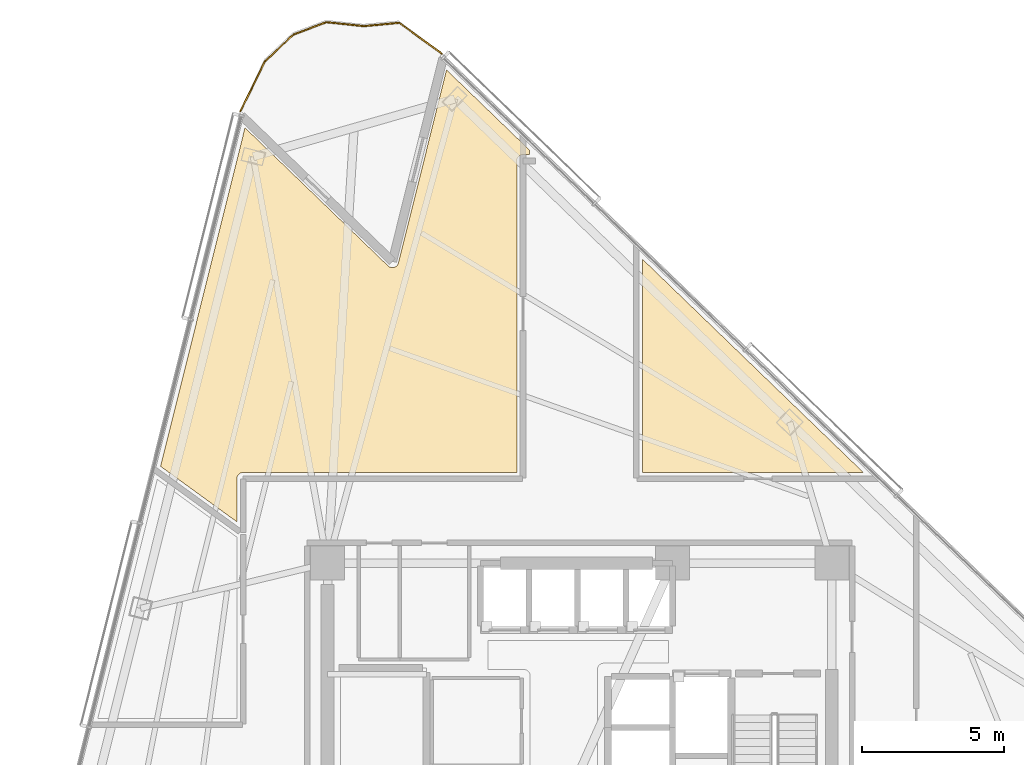
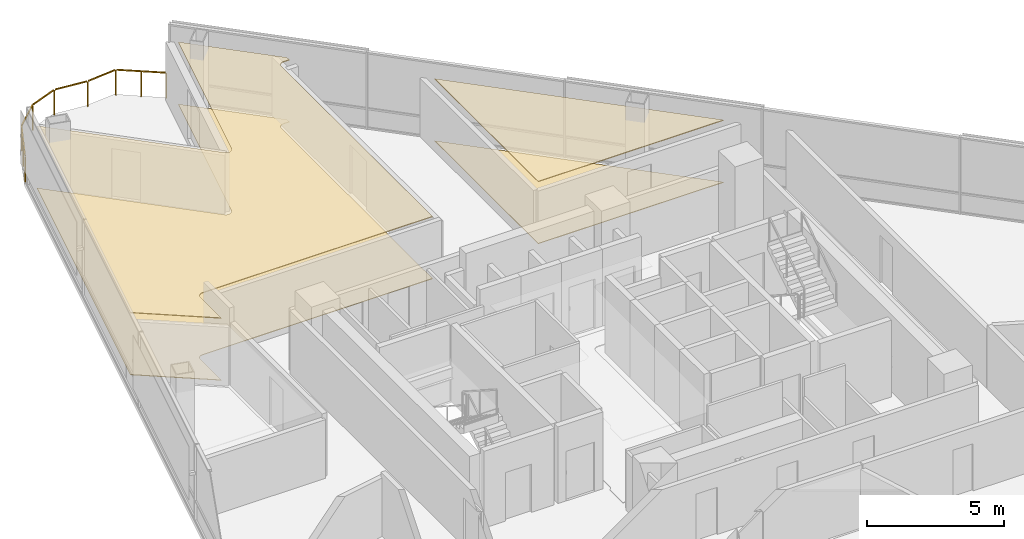
# One storey, part 17 of 17: 4 coverings, 1 railing.
"""IFC4 building model written with IfcOpenShell, lengths in metres."""

from ifc_helpers import new_model, si_unit, direction, frame, origin, origin_2d, place, context, subcontext, project, spatial, polyline, rectangle, outline, extrude, material, layer, layer_set, type_object, element, save


model = new_model("IFC4")

# Units and contexts
model_context = context("Model", 3, precision=1e-05, world=origin(), true_north=direction((0.0, 1.0)))
body_context = subcontext(model_context, "Body", "Model", "MODEL_VIEW")
ifc_project = project(units=[si_unit("LENGTHUNIT", "METRE"), si_unit("AREAUNIT", "SQUARE_METRE"), si_unit("VOLUMEUNIT", "CUBIC_METRE"), si_unit("PLANEANGLEUNIT", "RADIAN"), si_unit("MASSUNIT", "GRAM", prefix="KILO")], contexts=[model_context])

# Site, building, storey
site_placement = place(None, origin())
site = spatial("IfcSite", under=ifc_project, at=site_placement, CompositionType="ELEMENT")
building_placement = place(site_placement, origin())
building = spatial("IfcBuilding", under=site, at=building_placement, Name="Tharavind Bronze Gate", CompositionType="ELEMENT")
storey_placement = place(building_placement, frame((0.0, 0.0, 96.89990234375)))
storey = spatial("IfcBuildingStorey", under=building, at=storey_placement, Name="L24", CompositionType="ELEMENT", Elevation=96.89990234375)

# Coverings
ifc_material_1 = material(Name="Perforated Bronze Acoustic Panel", Category="bronze")
ifc_layer_1 = layer(ifc_material_1, 0.044921875)
ifc_layer_set_1 = layer_set([ifc_layer_1], Name="Perforated Bronze Acoustic Panel")
covering_type_1 = type_object("IfcCoveringType", Name="ACOUSTIC BRONZE BAFFLE CEILING", PredefinedType="CEILING", material=ifc_layer_set_1)
covering_1_placement = place(storey_placement, frame((0.0, 0.0, 2.75)))
element("IfcCovering", 1, at=covering_1_placement, inside=storey, type_object=covering_type_1, Name="L24-RM-02 suspended ceiling", PredefinedType="CEILING", context=body_context, shape_type="SweptSolid", body=[
    extrude(outline(polyline([(-12.10009765625, 9.06298828125), (-12.10009765625, 10.579345703125), (-12.099609375, 10.590087890625), (-12.099609375, 10.5908203125), (-12.09765625, 10.6123046875), (-12.093505859375, 10.63330078125), (-12.087158203125, 10.654052734375), (-12.078857421875, 10.674072265625), (-12.068603515625, 10.693115234375), (-12.056640625, 10.7109375), (-12.04296875, 10.727783203125), (-12.027587890625, 10.742919921875), (-12.010986328125, 10.756591796875), (-11.9931640625, 10.768798828125), (-11.97412109375, 10.77880859375), (-11.9541015625, 10.787109375), (-11.933349609375, 10.79345703125), (-11.912353515625, 10.797607421875), (-11.890869140625, 10.7998046875), (-11.89013671875, 10.7998046875), (-11.87939453125, 10.800048828125), (-2.219970703125, 10.800048828125), (-2.219970703125, 21.79931640625), (-2.2197265625, 21.810302734375), (-2.2197265625, 21.810791015625), (-2.217529296875, 21.832275390625), (-2.21337890625, 21.853515625), (-2.20703125, 21.8740234375), (-2.19873046875, 21.89404296875), (-2.188720703125, 21.9130859375), (-2.1767578125, 21.930908203125), (-2.1630859375, 21.94775390625), (-2.147705078125, 21.962890625), (-2.131103515625, 21.976806640625), (-2.113037109375, 21.98876953125), (-2.093994140625, 21.998779296875), (-2.07421875, 22.007080078125), (-2.053466796875, 22.013427734375), (-2.0322265625, 22.017578125), (-2.0107421875, 22.019775390625), (-2.01025390625, 22.019775390625), (-1.99951171875, 22.02001953125), (-1.76025390625, 22.02001953125), (-1.771728515625, 22.18408203125), (-4.69921875, 25.010986328125), (-6.39697265625, 18.201171875), (-6.39990234375, 18.1904296875), (-6.400146484375, 18.18994140625), (-6.407470703125, 18.169189453125), (-6.4169921875, 18.1494140625), (-6.42822265625, 18.130615234375), (-6.44140625, 18.11328125), (-6.456298828125, 18.096923828125), (-6.47265625, 18.08251953125), (-6.490234375, 18.069580078125), (-6.50927734375, 18.05859375), (-6.529296875, 18.04931640625), (-6.550048828125, 18.042236328125), (-6.5712890625, 18.037353515625), (-6.593017578125, 18.034423828125), (-6.614990234375, 18.03369140625), (-6.636962890625, 18.035400390625), (-6.658447265625, 18.0390625), (-6.6796875, 18.044921875), (-6.7001953125, 18.052734375), (-6.7197265625, 18.062744140625), (-6.738037109375, 18.074462890625), (-6.75537109375, 18.088134765625), (-6.755859375, 18.08837890625), (-6.763916015625, 18.095947265625), (-11.8125, 22.97119140625), (-14.79248046875, 11.019287109375), (-12.10009765625, 9.06298828125)])), origin(), (0.0, 0.0, 1.0), 0.03515625),
])
ifc_material_2 = material(Name="Engineered Oak & Carpet Tile", Category="wood")
ifc_layer_2 = layer(ifc_material_2, 0.02490234375)
ifc_layer_set_2 = layer_set([ifc_layer_2], Name="Engineered Oak & Carpet Tile")
covering_type_2 = type_object("IfcCoveringType", Name="ENGINEERED TIMBER FLOORING", PredefinedType="FLOORING", material=ifc_layer_set_2)
covering_2_placement = place(storey_placement, origin())
element("IfcCovering", 2, at=covering_2_placement, inside=storey, type_object=covering_type_2, Name="L24-RM-01 floor finish", PredefinedType="FLOORING", context=body_context, shape_type="SweptSolid", body=[
    extrude(outline(polyline([(2.219970703125, 10.800048828125), (10.016845703125, 10.800048828125), (2.219970703125, 18.329345703125), (2.219970703125, 10.800048828125)])), origin(), (0.0, 0.0, 1.0), 0.025146484375),
])
covering_3_placement = place(storey_placement, origin())
element("IfcCovering", 3, at=covering_3_placement, inside=storey, type_object=covering_type_2, Name="L24-RM-02 floor finish", PredefinedType="FLOORING", context=body_context, shape_type="SweptSolid", body=[
    extrude(outline(polyline([(-12.10009765625, 9.06298828125), (-12.10009765625, 10.579345703125), (-12.099609375, 10.590087890625), (-12.099609375, 10.5908203125), (-12.09765625, 10.6123046875), (-12.093505859375, 10.63330078125), (-12.087158203125, 10.654052734375), (-12.078857421875, 10.674072265625), (-12.068603515625, 10.693115234375), (-12.056640625, 10.7109375), (-12.04296875, 10.727783203125), (-12.027587890625, 10.742919921875), (-12.010986328125, 10.756591796875), (-11.9931640625, 10.768798828125), (-11.97412109375, 10.77880859375), (-11.9541015625, 10.787109375), (-11.933349609375, 10.79345703125), (-11.912353515625, 10.797607421875), (-11.890869140625, 10.7998046875), (-11.89013671875, 10.7998046875), (-11.87939453125, 10.800048828125), (-2.219970703125, 10.800048828125), (-2.219970703125, 21.79931640625), (-2.2197265625, 21.810302734375), (-2.2197265625, 21.810791015625), (-2.217529296875, 21.832275390625), (-2.21337890625, 21.853515625), (-2.20703125, 21.8740234375), (-2.19873046875, 21.89404296875), (-2.188720703125, 21.9130859375), (-2.1767578125, 21.930908203125), (-2.1630859375, 21.94775390625), (-2.147705078125, 21.962890625), (-2.131103515625, 21.976806640625), (-2.113037109375, 21.98876953125), (-2.093994140625, 21.998779296875), (-2.07421875, 22.007080078125), (-2.053466796875, 22.013427734375), (-2.0322265625, 22.017578125), (-2.0107421875, 22.019775390625), (-2.01025390625, 22.019775390625), (-1.99951171875, 22.02001953125), (-1.76025390625, 22.02001953125), (-1.771728515625, 22.18408203125), (-4.69921875, 25.010986328125), (-6.39697265625, 18.201171875), (-6.39990234375, 18.1904296875), (-6.400146484375, 18.18994140625), (-6.407470703125, 18.169189453125), (-6.4169921875, 18.1494140625), (-6.42822265625, 18.130615234375), (-6.44140625, 18.11328125), (-6.456298828125, 18.096923828125), (-6.47265625, 18.08251953125), (-6.490234375, 18.069580078125), (-6.50927734375, 18.05859375), (-6.529296875, 18.04931640625), (-6.550048828125, 18.042236328125), (-6.5712890625, 18.037353515625), (-6.593017578125, 18.034423828125), (-6.614990234375, 18.03369140625), (-6.636962890625, 18.035400390625), (-6.658447265625, 18.0390625), (-6.6796875, 18.044921875), (-6.7001953125, 18.052734375), (-6.7197265625, 18.062744140625), (-6.738037109375, 18.074462890625), (-6.75537109375, 18.088134765625), (-6.755859375, 18.08837890625), (-6.763916015625, 18.095947265625), (-11.8125, 22.97119140625), (-14.79248046875, 11.019287109375), (-12.10009765625, 9.06298828125)])), origin(), (0.0, 0.0, 1.0), 0.025146484375),
])
ifc_material_3 = material(Name="Acoustic Gypsum Board", Category="gypsum")
ifc_layer_3 = layer(ifc_material_3, 0.030029296875)
ifc_layer_set_3 = layer_set([ifc_layer_3], Name="Acoustic Gypsum Board")
covering_type_3 = type_object("IfcCoveringType", Name="GYPSUM SUSPENDED CEILING", PredefinedType="CEILING", material=ifc_layer_set_3)
covering_4_placement = place(storey_placement, frame((0.0, 0.0, 2.75)))
element("IfcCovering", 4, at=covering_4_placement, inside=storey, type_object=covering_type_3, Name="L24-RM-01 suspended ceiling", PredefinedType="CEILING", context=body_context, shape_type="SweptSolid", body=[
    extrude(outline(polyline([(2.219970703125, 10.800048828125), (10.016845703125, 10.800048828125), (2.219970703125, 18.329345703125), (2.219970703125, 10.800048828125)])), origin(), (0.0, 0.0, 1.0), 0.03515625),
])

# Railing
ifc_material_4 = material(Name="Bronze Cap & Laminated Glass", Category="glass")
railing_type = type_object("IfcRailingType", Name="TERRACE GLASS GUARD RAILING 1150", PredefinedType="GUARDRAIL", material=ifc_material_4)
railing_placement = place(storey_placement, frame((-11.977783203125, 23.548095703125, 0.0)))
element("IfcRailing", 5, at=railing_placement, inside=storey, type_object=railing_type, Name="L24 tree balcony guard railing", PredefinedType="GUARDRAIL", context=body_context, shape_type="SweptSolid", body=[
    extrude(rectangle(XDim=0.048095703125, YDim=0.048095703125, at=origin_2d()), frame((0.01416015625, 0.02880859375, 1.1259765625), z_axis=(0.441156065907, 0.897430401487, 0.0), x_axis=(-0.897430401487, 0.441156065907, 0.0)), (0.0, 0.0, 1.0), 1.90625),
    extrude(rectangle(XDim=0.048095703125, YDim=0.048095703125, at=origin_2d()), frame((0.892578125, 1.7900390625, 1.1259765625), z_axis=(0.730328135608, 0.683096489772, 0.0), x_axis=(-0.683096489772, 0.730328135608, 0.0)), (0.0, 0.0, 1.0), 1.3212890625),
    extrude(rectangle(XDim=0.048095703125, YDim=0.048095703125, at=origin_2d()), frame((1.910888671875, 2.7255859375, 1.1259765625), z_axis=(0.936134406694, 0.351642393071, 0.0), x_axis=(-0.351642393071, 0.936134406694, 0.0)), (0.0, 0.0, 1.0), 1.17333984375),
    extrude(rectangle(XDim=0.048095703125, YDim=0.048095703125, at=origin_2d()), frame((3.07080078125, 3.14599609375, 1.1259765625), z_axis=(0.994513494848, -0.104608358011, 0.0), x_axis=(0.104608358011, 0.994513494848, 0.0)), (0.0, 0.0, 1.0), 1.266357421875),
    extrude(rectangle(XDim=0.048095703125, YDim=0.048095703125, at=origin_2d()), frame((4.393798828125, 3.01318359375, 1.1259765625), z_axis=(0.995611027897, 0.093587825761, 0.0), x_axis=(-0.093587825761, 0.995611027897, 0.0)), (0.0, 0.0, 1.0), 1.190673828125),
    extrude(rectangle(XDim=0.048095703125, YDim=0.048095703125, at=origin_2d()), frame((5.63720703125, 3.10888671875, 1.1259765625), z_axis=(0.809873110724, -0.586605101006, 0.0), x_axis=(0.586605101006, 0.809873110724, 0.0)), (0.0, 0.0, 1.0), 1.79052734375),
    extrude(rectangle(XDim=0.0400390625, YDim=0.0400390625, at=origin_2d()), origin(), (0.0, 0.0, 1.0), 1.097900390625),
    extrude(rectangle(XDim=0.0400390625, YDim=0.0400390625, at=origin_2d()), frame((0.4345703125, 0.884033203125, 0.0)), (0.0, 0.0, 1.0), 1.097900390625),
    extrude(rectangle(XDim=0.0400390625, YDim=0.0400390625, at=origin_2d()), frame((0.869140625, 1.76806640625, 0.0)), (0.0, 0.0, 1.0), 1.097900390625),
    extrude(rectangle(XDim=0.0400390625, YDim=0.0400390625, at=origin_2d()), frame((1.880859375, 2.71435546875, 0.0)), (0.0, 0.0, 1.0), 1.097900390625),
    extrude(rectangle(XDim=0.0400390625, YDim=0.0400390625, at=origin_2d()), frame((3.0390625, 3.1494140625, 0.0)), (0.0, 0.0, 1.0), 1.097900390625),
    extrude(rectangle(XDim=0.0400390625, YDim=0.0400390625, at=origin_2d()), frame((4.362060546875, 3.01025390625, 0.0)), (0.0, 0.0, 1.0), 1.097900390625),
    extrude(rectangle(XDim=0.0400390625, YDim=0.0400390625, at=origin_2d()), frame((5.611328125, 3.127685546875, 0.0)), (0.0, 0.0, 1.0), 1.097900390625),
    extrude(rectangle(XDim=0.0400390625, YDim=0.0400390625, at=origin_2d()), frame((6.3623046875, 2.583740234375, 0.0)), (0.0, 0.0, 1.0), 1.097900390625),
    extrude(rectangle(XDim=0.0400390625, YDim=0.0400390625, at=origin_2d()), frame((7.11328125, 2.039794921875, 0.0)), (0.0, 0.0, 1.0), 1.097900390625),
])

save(model, "model.ifc")
